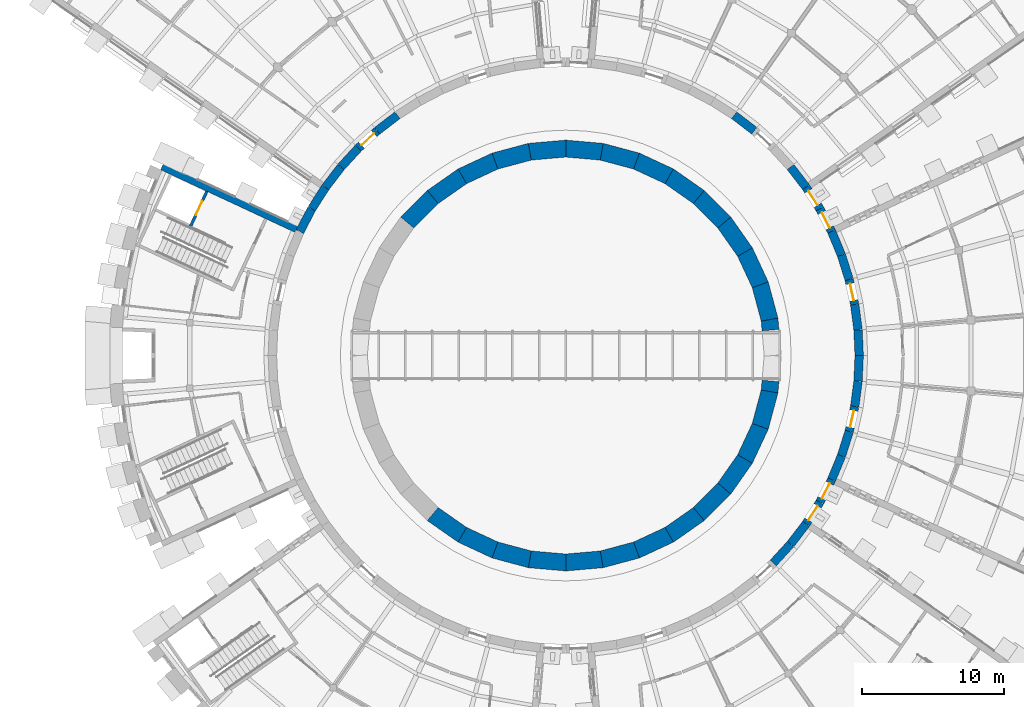
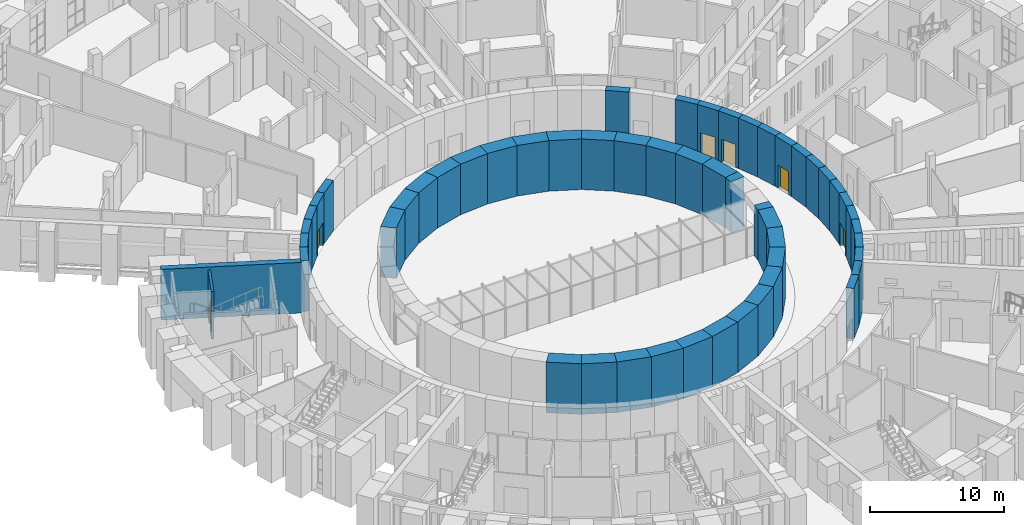
# One storey, part 51 of 85: 53 walls, 8 doors, 8 openings.
"""IFC4 building model written with IfcOpenShell, lengths in metres."""

from ifc_helpers import new_model, si_unit, direction, frame, frame_2d, origin, place, context, subcontext, project, spatial, polyline, rectangle, outline, extrude, material, layer, layer_set, type_object, element, fill, save


model = new_model("IFC4")

# Units and contexts
model_context = context("Model", 3, precision=1e-05, world=origin(), true_north=direction((0.0, 1.0)))
body_context = subcontext(model_context, "Body", "Model", "MODEL_VIEW")
ifc_project = project(units=[si_unit("LENGTHUNIT", "METRE"), si_unit("AREAUNIT", "SQUARE_METRE"), si_unit("VOLUMEUNIT", "CUBIC_METRE"), si_unit("PLANEANGLEUNIT", "RADIAN"), si_unit("MASSUNIT", "GRAM", prefix="KILO")], contexts=[model_context])

# Site, building, storey
site_placement = place(None, origin())
site = spatial("IfcSite", under=ifc_project, at=site_placement, CompositionType="ELEMENT")
building_placement = place(site_placement, origin())
building = spatial("IfcBuilding", under=site, at=building_placement, Name="Volute Hill Aquarium", CompositionType="ELEMENT")
storey_placement = place(building_placement, origin())
storey = spatial("IfcBuildingStorey", under=building, at=storey_placement, Name="L01", CompositionType="ELEMENT", Elevation=0.0)

# Walls
ifc_material_1 = material(Name="Concrete C35/45", Category="concrete")
ifc_layer_1 = layer(ifc_material_1, 0.60009765625)
ifc_layer_set_1 = layer_set([ifc_layer_1], Name="Drum wall C35/45 600")
wall_type_1 = type_object("IfcWallType", Name="Drum wall C35/45 600", PredefinedType="SHEAR", material=ifc_layer_set_1)
wall_1_placement = place(storey_placement, frame((20.699951171875, 0.0, 0.0), z_axis=(0.0, 0.0, 1.0), x_axis=(-0.043666024022, 0.999046184291, 0.0)))
element("IfcWall", 1, at=wall_1_placement, inside=storey, type_object=wall_type_1, Name="sw/DR/L01/0", PredefinedType="SHEAR", context=body_context, shape_type="SweptSolid", body=[
    extrude(rectangle(XDim=1.805908203125, YDim=0.60009765625, at=frame_2d((0.90283203125, 0.0))), origin(), (0.0, 0.0, 1.0), 4.60009765625),
])
wall_2_placement = place(storey_placement, frame((20.62109375, 1.80419921875, 0.0), z_axis=(0.0, 0.0, 1.0), x_axis=(-0.130471999813, 0.991451994433, 0.0)))
element("IfcWall", 2, at=wall_2_placement, inside=storey, type_object=wall_type_1, Name="sw/DR/L01/1", PredefinedType="SHEAR", context=body_context, shape_type="SweptSolid", body=[
    extrude(rectangle(XDim=1.8056640625, YDim=0.60009765625, at=frame_2d((0.90283203125, 0.0))), origin(), (0.0, 0.0, 1.0), 4.60009765625),
])

# Wall, opening, door
wall_3_placement = place(storey_placement, frame((20.385498046875, 3.594482421875, 0.0), z_axis=(0.0, 0.0, 1.0), x_axis=(-0.216429453554, 0.976298259567, 0.0)))
wall_3 = element("IfcWall", 3, at=wall_3_placement, inside=storey, type_object=wall_type_1, Name="sw/DR/L01/2", PredefinedType="SHEAR", context=body_context, shape_type="SweptSolid", body=[
    extrude(rectangle(XDim=1.805908203125, YDim=0.60009765625, at=frame_2d((0.90283203125, 0.0))), origin(), (0.0, 0.0, 1.0), 4.60009765625),
])
opening_1_placement = place(wall_3_placement, frame((0.302978515625, 0.0, 0.0)))
opening_1 = element("IfcOpeningElement", 4, at=opening_1_placement, cuts=wall_3, Name="Opening D4.01.R2", PredefinedType="OPENING", context=body_context, shape_type="SweptSolid", body=[
    extrude(rectangle(XDim=1.199951171875, YDim=2.10009765625, at=frame_2d((0.60009765625, 1.050048828125))), frame((0.0, 0.31005859375, 0.0), z_axis=(0.0, -1.0, 0.0), x_axis=(1.0, 0.0, 0.0)), (0.0, 0.0, 1.0), 0.6201171875),
])
ifc_material_2 = material(Name="Timber", Category="wood")
door_type_1 = type_object("IfcDoorType", Name="Door 1200 x 2100 drum double", OperationType="DOUBLE_DOOR_SINGLE_SWING", PredefinedType="DOOR", material=ifc_material_2)
door_1_placement = place(opening_1_placement, origin())
door_1 = element("IfcDoor", 5, at=door_1_placement, inside=storey, type_object=door_type_1, Name="d/S4/L01/dr2", OperationType="SINGLE_SWING_LEFT", OverallHeight=2.10009765625, OverallWidth=1.199951171875, PredefinedType="DOOR", context=body_context, shape_type="SweptSolid", body=[
    extrude(rectangle(XDim=1.199951171875, YDim=2.10009765625, at=frame_2d((0.60009765625, 1.050048828125))), frame((0.0, 0.02490234375, 0.0), z_axis=(0.0, -1.0, 0.0), x_axis=(1.0, 0.0, 0.0)), (0.0, 0.0, 1.0), 0.050048828125),
])
fill(opening_1, door_1)

# Walls
wall_4_placement = place(storey_placement, frame((19.99462890625, 5.357666015625, 0.0), z_axis=(0.0, 0.0, 1.0), x_axis=(-0.300691330354, 0.953721512733, 0.0)))
element("IfcWall", 6, at=wall_4_placement, inside=storey, type_object=wall_type_1, Name="sw/DR/L01/3", PredefinedType="SHEAR", context=body_context, shape_type="SweptSolid", body=[
    extrude(rectangle(XDim=1.8056640625, YDim=0.60009765625, at=frame_2d((0.90283203125, 0.0))), origin(), (0.0, 0.0, 1.0), 4.60009765625),
])
wall_5_placement = place(storey_placement, frame((19.45166015625, 7.079833984375, 0.0), z_axis=(0.0, 0.0, 1.0), x_axis=(-0.382713954298, 0.923866889322, 0.0)))
element("IfcWall", 7, at=wall_5_placement, inside=storey, type_object=wall_type_1, Name="sw/DR/L01/4", PredefinedType="SHEAR", context=body_context, shape_type="SweptSolid", body=[
    extrude(rectangle(XDim=1.805908203125, YDim=0.60009765625, at=frame_2d((0.90283203125, 0.0))), origin(), (0.0, 0.0, 1.0), 4.60009765625),
])

# Wall, opening, door
wall_6_placement = place(storey_placement, frame((18.760498046875, 8.748291015625, 0.0), z_axis=(0.0, 0.0, 1.0), x_axis=(-0.461701764231, 0.887035219654, 0.0)))
wall_6 = element("IfcWall", 8, at=wall_6_placement, inside=storey, type_object=wall_type_1, Name="sw/DR/L01/5", PredefinedType="SHEAR", context=body_context, shape_type="SweptSolid", body=[
    extrude(rectangle(XDim=1.805908203125, YDim=0.60009765625, at=frame_2d((0.90283203125, 0.0))), origin(), (0.0, 0.0, 1.0), 4.60009765625),
])
opening_2_placement = place(wall_6_placement, frame((0.302978515625, 0.0, 0.0)))
opening_2 = element("IfcOpeningElement", 9, at=opening_2_placement, cuts=wall_6, Name="Opening DX.SC5.1", PredefinedType="OPENING", context=body_context, shape_type="SweptSolid", body=[
    extrude(rectangle(XDim=1.199951171875, YDim=2.10009765625, at=frame_2d((0.60009765625, 1.050048828125))), frame((0.0, 0.31005859375, 0.0), z_axis=(0.0, -1.0, 0.0), x_axis=(1.0, 0.0, 0.0)), (0.0, 0.0, 1.0), 0.6201171875),
])
ifc_material_3 = material(Name="Timber, fire-rated", Category="wood")
door_type_2 = type_object("IfcDoorType", Name="Door 1200 x 2100 drum double EI1 30", OperationType="DOUBLE_DOOR_SINGLE_SWING", PredefinedType="DOOR", material=ifc_material_3)
door_2_placement = place(opening_2_placement, origin())
door_2 = element("IfcDoor", 10, at=door_2_placement, inside=storey, type_object=door_type_2, Name="d/SC5/L01/ex1", OperationType="SINGLE_SWING_LEFT", OverallHeight=2.10009765625, OverallWidth=1.199951171875, PredefinedType="DOOR", context=body_context, shape_type="SweptSolid", body=[
    extrude(rectangle(XDim=1.199951171875, YDim=2.10009765625, at=frame_2d((0.60009765625, 1.050048828125))), frame((0.0, 0.02490234375, 0.0), z_axis=(0.0, -1.0, 0.0), x_axis=(1.0, 0.0, 0.0)), (0.0, 0.0, 1.0), 0.050048828125),
])
fill(opening_2, door_2)

wall_7_placement = place(storey_placement, frame((17.9267578125, 10.35009765625, 0.0), z_axis=(0.0, 0.0, 1.0), x_axis=(-0.537391510251, 0.843332890803, 0.0)))
wall_7 = element("IfcWall", 11, at=wall_7_placement, inside=storey, type_object=wall_type_1, Name="sw/DR/L01/6", PredefinedType="SHEAR", context=body_context, shape_type="SweptSolid", body=[
    extrude(rectangle(XDim=1.805908203125, YDim=0.60009765625, at=frame_2d((0.90283203125, 0.0))), origin(), (0.0, 0.0, 1.0), 4.60009765625),
])
opening_3_placement = place(wall_7_placement, frame((0.302978515625, 0.0, 0.0)))
opening_3 = element("IfcOpeningElement", 12, at=opening_3_placement, cuts=wall_7, Name="Opening DX.SC5.2", PredefinedType="OPENING", context=body_context, shape_type="SweptSolid", body=[
    extrude(rectangle(XDim=1.199951171875, YDim=2.10009765625, at=frame_2d((0.60009765625, 1.050048828125))), frame((0.0, 0.31005859375, 0.0), z_axis=(0.0, -1.0, 0.0), x_axis=(1.0, 0.0, 0.0)), (0.0, 0.0, 1.0), 0.6201171875),
])
door_3_placement = place(opening_3_placement, origin())
door_3 = element("IfcDoor", 13, at=door_3_placement, inside=storey, type_object=door_type_2, Name="d/SC5/L01/ex2", OperationType="SINGLE_SWING_LEFT", OverallHeight=2.10009765625, OverallWidth=1.199951171875, PredefinedType="DOOR", context=body_context, shape_type="SweptSolid", body=[
    extrude(rectangle(XDim=1.199951171875, YDim=2.10009765625, at=frame_2d((0.60009765625, 1.050048828125))), frame((0.0, 0.02490234375, 0.0), z_axis=(0.0, -1.0, 0.0), x_axis=(1.0, 0.0, 0.0)), (0.0, 0.0, 1.0), 0.050048828125),
])
fill(opening_3, door_3)

# Walls
for number, where, z_axis, x_axis, name in (
    (14, (16.956298828125, 11.873046875, 0.0), (0.0, 0.0, 1.0), (-0.608704004289, 0.793397400526, 0.0), "sw/DR/L01/7"),
    (15, (13.3056640625, 15.857177734375, 0.0), (0.0, 0.0, 1.0), (-0.793397400526, 0.608704004289, 0.0), "sw/DR/L01/10"),
    (16, (-11.873046875, 16.956298828125, 0.0), (0.0, 0.0, 1.0), (-0.793397400526, -0.608704004289, 0.0), "sw/DR/L01/25"),
):
    element("IfcWall", number, at=place(storey_placement, frame(where, z_axis=z_axis, x_axis=x_axis)), inside=storey, type_object=wall_type_1, Name=name, PredefinedType="SHEAR", context=body_context, shape_type="SweptSolid", body=[
        extrude(rectangle(XDim=1.8056640625, YDim=0.60009765625, at=frame_2d((0.90283203125, 0.0))), origin(), (0.0, 0.0, 1.0), 4.60009765625),
    ])

# Wall, opening, door
wall_8_placement = place(storey_placement, frame((-13.3056640625, 15.857177734375, 0.0), z_axis=(0.0, 0.0, 1.0), x_axis=(-0.737322466268, -0.675540954152, 0.0)))
wall_8 = element("IfcWall", 17, at=wall_8_placement, inside=storey, type_object=wall_type_1, Name="sw/DR/L01/26", PredefinedType="SHEAR", context=body_context, shape_type="SweptSolid", body=[
    extrude(rectangle(XDim=1.805908203125, YDim=0.60009765625, at=frame_2d((0.90283203125, 0.0))), origin(), (0.0, 0.0, 1.0), 4.60009765625),
])
opening_4_placement = place(wall_8_placement, frame((0.302978515625, 0.0, 0.0)))
opening_4 = element("IfcOpeningElement", 18, at=opening_4_placement, cuts=wall_8, Name="Opening D6.01.R2", PredefinedType="OPENING", context=body_context, shape_type="SweptSolid", body=[
    extrude(rectangle(XDim=1.199951171875, YDim=2.10009765625, at=frame_2d((0.60009765625, 1.050048828125))), frame((0.0, 0.31005859375, 0.0), z_axis=(0.0, -1.0, 0.0), x_axis=(1.0, 0.0, 0.0)), (0.0, 0.0, 1.0), 0.6201171875),
])
door_4_placement = place(opening_4_placement, origin())
door_4 = element("IfcDoor", 19, at=door_4_placement, inside=storey, type_object=door_type_1, Name="d/S6/L01/dr2", OperationType="SINGLE_SWING_LEFT", OverallHeight=2.10009765625, OverallWidth=1.199951171875, PredefinedType="DOOR", context=body_context, shape_type="SweptSolid", body=[
    extrude(rectangle(XDim=1.199951171875, YDim=2.10009765625, at=frame_2d((0.60009765625, 1.050048828125))), frame((0.0, 0.02490234375, 0.0), z_axis=(0.0, -1.0, 0.0), x_axis=(1.0, 0.0, 0.0)), (0.0, 0.0, 1.0), 0.050048828125),
])
fill(opening_4, door_4)

# Walls
wall_9_placement = place(storey_placement, frame((-14.63720703125, 14.63720703125, 0.0), z_axis=(0.0, 0.0, 1.0), x_axis=(-0.675540954152, -0.737322466268, 0.0)))
element("IfcWall", 20, at=wall_9_placement, inside=storey, type_object=wall_type_1, Name="sw/DR/L01/27", PredefinedType="SHEAR", context=body_context, shape_type="SweptSolid", body=[
    extrude(rectangle(XDim=1.805908203125, YDim=0.60009765625, at=frame_2d((0.90283203125, 0.0))), origin(), (0.0, 0.0, 1.0), 4.60009765625),
])
wall_10_placement = place(storey_placement, frame((-15.857177734375, 13.3056640625, 0.0), z_axis=(0.0, 0.0, 1.0), x_axis=(-0.608704004289, -0.793397400526, 0.0)))
element("IfcWall", 21, at=wall_10_placement, inside=storey, type_object=wall_type_1, Name="sw/DR/L01/28", PredefinedType="SHEAR", context=body_context, shape_type="SweptSolid", body=[
    extrude(rectangle(XDim=1.8056640625, YDim=0.60009765625, at=frame_2d((0.90283203125, 0.0))), origin(), (0.0, 0.0, 1.0), 4.60009765625),
])
for number, where, z_axis, x_axis, name in (
    (22, (-16.956298828125, 11.873046875, 0.0), (0.0, 0.0, 1.0), (-0.537391510251, -0.843332890803, 0.0), "sw/DR/L01/29"),
    (23, (-17.9267578125, 10.35009765625, 0.0), (0.0, 0.0, 1.0), (-0.461701764231, -0.887035219654, 0.0), "sw/DR/L01/30"),
    (24, (14.63720703125, -14.63720703125, 0.0), (0.0, 0.0, 1.0), (0.675540954152, 0.737322466268, 0.0), "sw/DR/L01/63"),
):
    element("IfcWall", number, at=place(storey_placement, frame(where, z_axis=z_axis, x_axis=x_axis)), inside=storey, type_object=wall_type_1, Name=name, PredefinedType="SHEAR", context=body_context, shape_type="SweptSolid", body=[
        extrude(rectangle(XDim=1.805908203125, YDim=0.60009765625, at=frame_2d((0.90283203125, 0.0))), origin(), (0.0, 0.0, 1.0), 4.60009765625),
    ])
wall_11_placement = place(storey_placement, frame((15.857177734375, -13.3056640625, 0.0), z_axis=(0.0, 0.0, 1.0), x_axis=(0.608704004289, 0.793397400526, 0.0)))
element("IfcWall", 25, at=wall_11_placement, inside=storey, type_object=wall_type_1, Name="sw/DR/L01/64", PredefinedType="SHEAR", context=body_context, shape_type="SweptSolid", body=[
    extrude(rectangle(XDim=1.8056640625, YDim=0.60009765625, at=frame_2d((0.90283203125, 0.0))), origin(), (0.0, 0.0, 1.0), 4.60009765625),
])

# Wall, opening, door
wall_12_placement = place(storey_placement, frame((16.956298828125, -11.873046875, 0.0), z_axis=(0.0, 0.0, 1.0), x_axis=(0.537391510251, 0.843332890803, 0.0)))
wall_12 = element("IfcWall", 26, at=wall_12_placement, inside=storey, type_object=wall_type_1, Name="sw/DR/L01/65", PredefinedType="SHEAR", context=body_context, shape_type="SweptSolid", body=[
    extrude(rectangle(XDim=1.805908203125, YDim=0.60009765625, at=frame_2d((0.90283203125, 0.0))), origin(), (0.0, 0.0, 1.0), 4.60009765625),
])
opening_5_placement = place(wall_12_placement, frame((0.302978515625, 0.0, 0.0)))
opening_5 = element("IfcOpeningElement", 27, at=opening_5_placement, cuts=wall_12, Name="Opening DX.SC4.1", PredefinedType="OPENING", context=body_context, shape_type="SweptSolid", body=[
    extrude(rectangle(XDim=1.199951171875, YDim=2.10009765625, at=frame_2d((0.60009765625, 1.050048828125))), frame((0.0, 0.31005859375, 0.0), z_axis=(0.0, -1.0, 0.0), x_axis=(1.0, 0.0, 0.0)), (0.0, 0.0, 1.0), 0.6201171875),
])
door_5_placement = place(opening_5_placement, origin())
door_5 = element("IfcDoor", 28, at=door_5_placement, inside=storey, type_object=door_type_2, Name="d/SC4/L01/ex1", OperationType="SINGLE_SWING_LEFT", OverallHeight=2.10009765625, OverallWidth=1.199951171875, PredefinedType="DOOR", context=body_context, shape_type="SweptSolid", body=[
    extrude(rectangle(XDim=1.199951171875, YDim=2.10009765625, at=frame_2d((0.60009765625, 1.050048828125))), frame((0.0, 0.02490234375, 0.0), z_axis=(0.0, -1.0, 0.0), x_axis=(1.0, 0.0, 0.0)), (0.0, 0.0, 1.0), 0.050048828125),
])
fill(opening_5, door_5)

wall_13_placement = place(storey_placement, frame((17.9267578125, -10.35009765625, 0.0), z_axis=(0.0, 0.0, 1.0), x_axis=(0.461701764231, 0.887035219654, 0.0)))
wall_13 = element("IfcWall", 29, at=wall_13_placement, inside=storey, type_object=wall_type_1, Name="sw/DR/L01/66", PredefinedType="SHEAR", context=body_context, shape_type="SweptSolid", body=[
    extrude(rectangle(XDim=1.805908203125, YDim=0.60009765625, at=frame_2d((0.90283203125, 0.0))), origin(), (0.0, 0.0, 1.0), 4.60009765625),
])
opening_6_placement = place(wall_13_placement, frame((0.302978515625, 0.0, 0.0)))
opening_6 = element("IfcOpeningElement", 30, at=opening_6_placement, cuts=wall_13, Name="Opening DX.SC4.2", PredefinedType="OPENING", context=body_context, shape_type="SweptSolid", body=[
    extrude(rectangle(XDim=1.199951171875, YDim=2.10009765625, at=frame_2d((0.60009765625, 1.050048828125))), frame((0.0, 0.31005859375, 0.0), z_axis=(0.0, -1.0, 0.0), x_axis=(1.0, 0.0, 0.0)), (0.0, 0.0, 1.0), 0.6201171875),
])
door_6_placement = place(opening_6_placement, origin())
door_6 = element("IfcDoor", 31, at=door_6_placement, inside=storey, type_object=door_type_2, Name="d/SC4/L01/ex2", OperationType="SINGLE_SWING_LEFT", OverallHeight=2.10009765625, OverallWidth=1.199951171875, PredefinedType="DOOR", context=body_context, shape_type="SweptSolid", body=[
    extrude(rectangle(XDim=1.199951171875, YDim=2.10009765625, at=frame_2d((0.60009765625, 1.050048828125))), frame((0.0, 0.02490234375, 0.0), z_axis=(0.0, -1.0, 0.0), x_axis=(1.0, 0.0, 0.0)), (0.0, 0.0, 1.0), 0.050048828125),
])
fill(opening_6, door_6)

# Walls
wall_14_placement = place(storey_placement, frame((18.760498046875, -8.748291015625, 0.0), z_axis=(0.0, 0.0, 1.0), x_axis=(0.382713954298, 0.923866889322, 0.0)))
element("IfcWall", 32, at=wall_14_placement, inside=storey, type_object=wall_type_1, Name="sw/DR/L01/67", PredefinedType="SHEAR", context=body_context, shape_type="SweptSolid", body=[
    extrude(rectangle(XDim=1.805908203125, YDim=0.60009765625, at=frame_2d((0.90283203125, 0.0))), origin(), (0.0, 0.0, 1.0), 4.60009765625),
])
wall_15_placement = place(storey_placement, frame((19.45166015625, -7.079833984375, 0.0), z_axis=(0.0, 0.0, 1.0), x_axis=(0.300691330354, 0.953721512733, 0.0)))
element("IfcWall", 33, at=wall_15_placement, inside=storey, type_object=wall_type_1, Name="sw/DR/L01/68", PredefinedType="SHEAR", context=body_context, shape_type="SweptSolid", body=[
    extrude(rectangle(XDim=1.8056640625, YDim=0.60009765625, at=frame_2d((0.90283203125, 0.0))), origin(), (0.0, 0.0, 1.0), 4.60009765625),
])

# Wall, opening, door
wall_16_placement = place(storey_placement, frame((19.99462890625, -5.357666015625, 0.0), z_axis=(0.0, 0.0, 1.0), x_axis=(0.216429453554, 0.976298259567, 0.0)))
wall_16 = element("IfcWall", 34, at=wall_16_placement, inside=storey, type_object=wall_type_1, Name="sw/DR/L01/69", PredefinedType="SHEAR", context=body_context, shape_type="SweptSolid", body=[
    extrude(rectangle(XDim=1.805908203125, YDim=0.60009765625, at=frame_2d((0.90283203125, 0.0))), origin(), (0.0, 0.0, 1.0), 4.60009765625),
])
opening_7_placement = place(wall_16_placement, frame((0.302978515625, 0.0, 0.0)))
opening_7 = element("IfcOpeningElement", 35, at=opening_7_placement, cuts=wall_16, Name="Opening D4.01.R1", PredefinedType="OPENING", context=body_context, shape_type="SweptSolid", body=[
    extrude(rectangle(XDim=1.199951171875, YDim=2.10009765625, at=frame_2d((0.60009765625, 1.050048828125))), frame((0.0, 0.31005859375, 0.0), z_axis=(0.0, -1.0, 0.0), x_axis=(1.0, 0.0, 0.0)), (0.0, 0.0, 1.0), 0.6201171875),
])
door_7_placement = place(opening_7_placement, origin())
door_7 = element("IfcDoor", 36, at=door_7_placement, inside=storey, type_object=door_type_1, Name="d/S4/L01/dr1", OperationType="SINGLE_SWING_LEFT", OverallHeight=2.10009765625, OverallWidth=1.199951171875, PredefinedType="DOOR", context=body_context, shape_type="SweptSolid", body=[
    extrude(rectangle(XDim=1.199951171875, YDim=2.10009765625, at=frame_2d((0.60009765625, 1.050048828125))), frame((0.0, 0.02490234375, 0.0), z_axis=(0.0, -1.0, 0.0), x_axis=(1.0, 0.0, 0.0)), (0.0, 0.0, 1.0), 0.050048828125),
])
fill(opening_7, door_7)

# Walls
wall_17_placement = place(storey_placement, frame((20.385498046875, -3.594482421875, 0.0), z_axis=(0.0, 0.0, 1.0), x_axis=(0.130471999813, 0.991451994433, 0.0)))
element("IfcWall", 37, at=wall_17_placement, inside=storey, type_object=wall_type_1, Name="sw/DR/L01/70", PredefinedType="SHEAR", context=body_context, shape_type="SweptSolid", body=[
    extrude(rectangle(XDim=1.8056640625, YDim=0.60009765625, at=frame_2d((0.90283203125, 0.0))), origin(), (0.0, 0.0, 1.0), 4.60009765625),
])
wall_18_placement = place(storey_placement, frame((20.62109375, -1.80419921875, 0.0), z_axis=(0.0, 0.0, 1.0), x_axis=(0.043666024022, 0.999046184291, 0.0)))
element("IfcWall", 38, at=wall_18_placement, inside=storey, type_object=wall_type_1, Name="sw/DR/L01/71", PredefinedType="SHEAR", context=body_context, shape_type="SweptSolid", body=[
    extrude(rectangle(XDim=1.805908203125, YDim=0.60009765625, at=frame_2d((0.90283203125, 0.0))), origin(), (0.0, 0.0, 1.0), 4.60009765625),
])
ifc_material_4 = material(Name="Concrete C35/45", Category="concrete")
ifc_layer_2 = layer(ifc_material_4, 0.5)
ifc_layer_set_2 = layer_set([ifc_layer_2], Name="End wall 500 C35/45")
wall_type_2 = type_object("IfcWallType", Name="End wall 500 C35/45", PredefinedType="SHEAR", material=ifc_layer_set_2)
wall_19_placement = place(storey_placement, frame((-18.920654296875, 8.8779296875, 0.0), z_axis=(0.0, 0.0, 1.0), x_axis=(-0.90630311696, 0.422628276607, 0.0)))
element("IfcWall", 39, at=wall_19_placement, inside=storey, type_object=wall_type_2, Name="sw/S1/L01/endA", PredefinedType="SHEAR", context=body_context, shape_type="SweptSolid", body=[
    extrude(rectangle(XDim=10.550048828125, YDim=0.5, at=frame_2d((5.27490234375, 0.0))), origin(), (0.0, 0.0, 1.0), 4.60009765625),
])

# Wall, opening, door
ifc_material_5 = material(Name="Concrete C30/37", Category="concrete")
ifc_layer_3 = layer(ifc_material_5, 0.199951171875)
ifc_layer_set_3 = layer_set([ifc_layer_3], Name="Shaft wall 200 EI 60")
wall_type_3 = type_object("IfcWallType", Name="Shaft wall 200 EI 60", PredefinedType="SOLIDWALL", material=ifc_layer_set_3)
wall_20_placement = place(storey_placement, frame((-25.3251953125, 11.588623046875, 0.0), z_axis=(0.0, 0.0, 1.0), x_axis=(-0.422632457081, -0.906301167505, 0.0)))
wall_20 = element("IfcWall", 40, at=wall_20_placement, inside=storey, type_object=wall_type_3, Name="wc/S1-A/L01/front", PredefinedType="SOLIDWALL", context=body_context, shape_type="SweptSolid", body=[
    extrude(rectangle(XDim=2.800048828125, YDim=0.199951171875, at=frame_2d((1.39990234375, 0.0))), origin(), (0.0, 0.0, 1.0), 4.35009765625),
])
opening_8_placement = place(wall_20_placement, frame((0.75, 0.0, 0.0)))
opening_8 = element("IfcOpeningElement", 41, at=opening_8_placement, cuts=wall_20, Name="Opening LD1.01.A", PredefinedType="OPENING", context=body_context, shape_type="SweptSolid", body=[
    extrude(rectangle(XDim=1.10009765625, YDim=2.10009765625, at=frame_2d((0.550048828125, 1.050048828125))), frame((0.0, 0.10986328125, 0.0), z_axis=(0.0, -1.0, 0.0), x_axis=(1.0, 0.0, 0.0)), (0.0, 0.0, 1.0), 0.219970703125),
])
ifc_material_6 = material(Name="Stainless steel", Category="steel")
door_type_3 = type_object("IfcDoorType", Name="Lift landing door 1100 x 2100", OperationType="SLIDING_TO_LEFT", PredefinedType="DOOR", material=ifc_material_6)
door_8_placement = place(opening_8_placement, origin())
door_8 = element("IfcDoor", 42, at=door_8_placement, inside=storey, type_object=door_type_3, Name="d/S1-A/L01/ld", OperationType="SLIDING_TO_LEFT", OverallHeight=2.10009765625, OverallWidth=1.10009765625, PredefinedType="DOOR", context=body_context, shape_type="SweptSolid", body=[
    extrude(rectangle(XDim=1.10009765625, YDim=2.10009765625, at=frame_2d((0.550048828125, 1.050048828125))), frame((0.0, 0.02490234375, 0.0), z_axis=(0.0, -1.0, 0.0), x_axis=(1.0, 0.0, 0.0)), (0.0, 0.0, 1.0), 0.050048828125),
])
fill(opening_8, door_8)

# Walls
ifc_material_7 = material(Name="Concrete C40/50", Category="concrete")
ifc_layer_4 = layer(ifc_material_7, 1.199951171875)
ifc_layer_set_4 = layer_set([ifc_layer_4], Name="Tank wall C40/50 1200")
wall_type_4 = type_object("IfcWallType", Name="Tank wall C40/50 1200", PredefinedType="SHEAR", material=ifc_layer_set_4)
wall_21_placement = place(storey_placement, origin())
element("IfcWall", 43, at=wall_21_placement, inside=storey, type_object=wall_type_4, Name="sw/TK/L01/0", PredefinedType="SHEAR", context=body_context, shape_type="SweptSolid", body=[
    extrude(outline(polyline([(13.787353515625, 2.43115234375), (13.84765625, 1.740966796875), (15.03857421875, 1.84521484375), (14.968994140625, 2.639404296875), (13.787353515625, 2.43115234375)])), origin(), (0.0, 0.0, 1.0), 4.60009765625),
])
wall_22_placement = place(storey_placement, origin())
element("IfcWall", 44, at=wall_22_placement, inside=storey, type_object=wall_type_4, Name="sw/TK/L01/1", PredefinedType="SHEAR", context=body_context, shape_type="SweptSolid", body=[
    extrude(outline(polyline([(13.787353515625, 2.43115234375), (14.968994140625, 2.639404296875), (14.283203125, 5.19873046875), (13.15576171875, 4.788330078125), (13.787353515625, 2.43115234375)])), origin(), (0.0, 0.0, 1.0), 4.60009765625),
])
wall_23_placement = place(storey_placement, origin())
element("IfcWall", 45, at=wall_23_placement, inside=storey, type_object=wall_type_4, Name="sw/TK/L01/2", PredefinedType="SHEAR", context=body_context, shape_type="SweptSolid", body=[
    extrude(outline(polyline([(13.15576171875, 4.788330078125), (14.283203125, 5.19873046875), (13.16357421875, 7.60009765625), (12.12451171875, 7.0), (13.15576171875, 4.788330078125)])), origin(), (0.0, 0.0, 1.0), 4.60009765625),
])
wall_24_placement = place(storey_placement, origin())
element("IfcWall", 46, at=wall_24_placement, inside=storey, type_object=wall_type_4, Name="sw/TK/L01/3", PredefinedType="SHEAR", context=body_context, shape_type="SweptSolid", body=[
    extrude(outline(polyline([(12.12451171875, 7.0), (13.16357421875, 7.60009765625), (11.643798828125, 9.7705078125), (10.724609375, 8.9990234375), (12.12451171875, 7.0)])), origin(), (0.0, 0.0, 1.0), 4.60009765625),
])
wall_25_placement = place(storey_placement, origin())
element("IfcWall", 47, at=wall_25_placement, inside=storey, type_object=wall_type_4, Name="sw/TK/L01/4", PredefinedType="SHEAR", context=body_context, shape_type="SweptSolid", body=[
    extrude(outline(polyline([(10.724609375, 8.9990234375), (11.643798828125, 9.7705078125), (9.7705078125, 11.643798828125), (8.9990234375, 10.724609375), (10.724609375, 8.9990234375)])), origin(), (0.0, 0.0, 1.0), 4.60009765625),
])
wall_26_placement = place(storey_placement, origin())
element("IfcWall", 48, at=wall_26_placement, inside=storey, type_object=wall_type_4, Name="sw/TK/L01/5", PredefinedType="SHEAR", context=body_context, shape_type="SweptSolid", body=[
    extrude(outline(polyline([(8.9990234375, 10.724609375), (9.7705078125, 11.643798828125), (7.60009765625, 13.16357421875), (7.0, 12.12451171875), (8.9990234375, 10.724609375)])), origin(), (0.0, 0.0, 1.0), 4.60009765625),
])
wall_27_placement = place(storey_placement, origin())
element("IfcWall", 49, at=wall_27_placement, inside=storey, type_object=wall_type_4, Name="sw/TK/L01/6", PredefinedType="SHEAR", context=body_context, shape_type="SweptSolid", body=[
    extrude(outline(polyline([(7.0, 12.12451171875), (7.60009765625, 13.16357421875), (5.19873046875, 14.283203125), (4.788330078125, 13.15576171875), (7.0, 12.12451171875)])), origin(), (0.0, 0.0, 1.0), 4.60009765625),
])
wall_28_placement = place(storey_placement, origin())
element("IfcWall", 50, at=wall_28_placement, inside=storey, type_object=wall_type_4, Name="sw/TK/L01/7", PredefinedType="SHEAR", context=body_context, shape_type="SweptSolid", body=[
    extrude(outline(polyline([(4.788330078125, 13.15576171875), (5.19873046875, 14.283203125), (2.639404296875, 14.968994140625), (2.43115234375, 13.787353515625), (4.788330078125, 13.15576171875)])), origin(), (0.0, 0.0, 1.0), 4.60009765625),
])
wall_29_placement = place(storey_placement, origin())
element("IfcWall", 51, at=wall_29_placement, inside=storey, type_object=wall_type_4, Name="sw/TK/L01/8", PredefinedType="SHEAR", context=body_context, shape_type="SweptSolid", body=[
    extrude(outline(polyline([(2.43115234375, 13.787353515625), (2.639404296875, 14.968994140625), (0.0, 15.199951171875), (0.0, 14.0), (2.43115234375, 13.787353515625)])), origin(), (0.0, 0.0, 1.0), 4.60009765625),
])
wall_30_placement = place(storey_placement, origin())
element("IfcWall", 52, at=wall_30_placement, inside=storey, type_object=wall_type_4, Name="sw/TK/L01/9", PredefinedType="SHEAR", context=body_context, shape_type="SweptSolid", body=[
    extrude(outline(polyline([(0.0, 14.0), (0.0, 15.199951171875), (-2.639404296875, 14.968994140625), (-2.43115234375, 13.787353515625), (0.0, 14.0)])), origin(), (0.0, 0.0, 1.0), 4.60009765625),
])
wall_31_placement = place(storey_placement, origin())
element("IfcWall", 53, at=wall_31_placement, inside=storey, type_object=wall_type_4, Name="sw/TK/L01/10", PredefinedType="SHEAR", context=body_context, shape_type="SweptSolid", body=[
    extrude(outline(polyline([(-2.43115234375, 13.787353515625), (-2.639404296875, 14.968994140625), (-5.19873046875, 14.283203125), (-4.788330078125, 13.15576171875), (-2.43115234375, 13.787353515625)])), origin(), (0.0, 0.0, 1.0), 4.60009765625),
])
wall_32_placement = place(storey_placement, origin())
element("IfcWall", 54, at=wall_32_placement, inside=storey, type_object=wall_type_4, Name="sw/TK/L01/11", PredefinedType="SHEAR", context=body_context, shape_type="SweptSolid", body=[
    extrude(outline(polyline([(-4.788330078125, 13.15576171875), (-5.19873046875, 14.283203125), (-7.60009765625, 13.16357421875), (-7.0, 12.12451171875), (-4.788330078125, 13.15576171875)])), origin(), (0.0, 0.0, 1.0), 4.60009765625),
])
wall_33_placement = place(storey_placement, origin())
element("IfcWall", 55, at=wall_33_placement, inside=storey, type_object=wall_type_4, Name="sw/TK/L01/12", PredefinedType="SHEAR", context=body_context, shape_type="SweptSolid", body=[
    extrude(outline(polyline([(-7.0, 12.12451171875), (-7.60009765625, 13.16357421875), (-9.7705078125, 11.643798828125), (-8.9990234375, 10.724609375), (-7.0, 12.12451171875)])), origin(), (0.0, 0.0, 1.0), 4.60009765625),
])
wall_34_placement = place(storey_placement, origin())
element("IfcWall", 56, at=wall_34_placement, inside=storey, type_object=wall_type_4, Name="sw/TK/L01/13", PredefinedType="SHEAR", context=body_context, shape_type="SweptSolid", body=[
    extrude(outline(polyline([(-8.9990234375, 10.724609375), (-9.7705078125, 11.643798828125), (-11.643798828125, 9.7705078125), (-10.724609375, 8.9990234375), (-8.9990234375, 10.724609375)])), origin(), (0.0, 0.0, 1.0), 4.60009765625),
])
wall_35_placement = place(storey_placement, origin())
element("IfcWall", 57, at=wall_35_placement, inside=storey, type_object=wall_type_4, Name="sw/TK/L01/23", PredefinedType="SHEAR", context=body_context, shape_type="SweptSolid", body=[
    extrude(outline(polyline([(-8.9990234375, -10.724609375), (-9.7705078125, -11.643798828125), (-7.60009765625, -13.16357421875), (-7.0, -12.12451171875), (-8.9990234375, -10.724609375)])), origin(), (0.0, 0.0, 1.0), 4.60009765625),
])
wall_36_placement = place(storey_placement, origin())
element("IfcWall", 58, at=wall_36_placement, inside=storey, type_object=wall_type_4, Name="sw/TK/L01/24", PredefinedType="SHEAR", context=body_context, shape_type="SweptSolid", body=[
    extrude(outline(polyline([(-7.0, -12.12451171875), (-7.60009765625, -13.16357421875), (-5.19873046875, -14.283203125), (-4.788330078125, -13.15576171875), (-7.0, -12.12451171875)])), origin(), (0.0, 0.0, 1.0), 4.60009765625),
])
wall_37_placement = place(storey_placement, origin())
element("IfcWall", 59, at=wall_37_placement, inside=storey, type_object=wall_type_4, Name="sw/TK/L01/25", PredefinedType="SHEAR", context=body_context, shape_type="SweptSolid", body=[
    extrude(outline(polyline([(-4.788330078125, -13.15576171875), (-5.19873046875, -14.283203125), (-2.639404296875, -14.968994140625), (-2.43115234375, -13.787353515625), (-4.788330078125, -13.15576171875)])), origin(), (0.0, 0.0, 1.0), 4.60009765625),
])
wall_38_placement = place(storey_placement, origin())
element("IfcWall", 60, at=wall_38_placement, inside=storey, type_object=wall_type_4, Name="sw/TK/L01/26", PredefinedType="SHEAR", context=body_context, shape_type="SweptSolid", body=[
    extrude(outline(polyline([(-2.43115234375, -13.787353515625), (-2.639404296875, -14.968994140625), (0.0, -15.199951171875), (0.0, -14.0), (-2.43115234375, -13.787353515625)])), origin(), (0.0, 0.0, 1.0), 4.60009765625),
])
wall_39_placement = place(storey_placement, origin())
element("IfcWall", 61, at=wall_39_placement, inside=storey, type_object=wall_type_4, Name="sw/TK/L01/27", PredefinedType="SHEAR", context=body_context, shape_type="SweptSolid", body=[
    extrude(outline(polyline([(0.0, -14.0), (0.0, -15.199951171875), (2.639404296875, -14.968994140625), (2.43115234375, -13.787353515625), (0.0, -14.0)])), origin(), (0.0, 0.0, 1.0), 4.60009765625),
])
wall_40_placement = place(storey_placement, origin())
element("IfcWall", 62, at=wall_40_placement, inside=storey, type_object=wall_type_4, Name="sw/TK/L01/28", PredefinedType="SHEAR", context=body_context, shape_type="SweptSolid", body=[
    extrude(outline(polyline([(2.43115234375, -13.787353515625), (2.639404296875, -14.968994140625), (5.19873046875, -14.283203125), (4.788330078125, -13.15576171875), (2.43115234375, -13.787353515625)])), origin(), (0.0, 0.0, 1.0), 4.60009765625),
])
wall_41_placement = place(storey_placement, origin())
element("IfcWall", 63, at=wall_41_placement, inside=storey, type_object=wall_type_4, Name="sw/TK/L01/29", PredefinedType="SHEAR", context=body_context, shape_type="SweptSolid", body=[
    extrude(outline(polyline([(4.788330078125, -13.15576171875), (5.19873046875, -14.283203125), (7.60009765625, -13.16357421875), (7.0, -12.12451171875), (4.788330078125, -13.15576171875)])), origin(), (0.0, 0.0, 1.0), 4.60009765625),
])
wall_42_placement = place(storey_placement, origin())
element("IfcWall", 64, at=wall_42_placement, inside=storey, type_object=wall_type_4, Name="sw/TK/L01/30", PredefinedType="SHEAR", context=body_context, shape_type="SweptSolid", body=[
    extrude(outline(polyline([(7.0, -12.12451171875), (7.60009765625, -13.16357421875), (9.7705078125, -11.643798828125), (8.9990234375, -10.724609375), (7.0, -12.12451171875)])), origin(), (0.0, 0.0, 1.0), 4.60009765625),
])
wall_43_placement = place(storey_placement, origin())
element("IfcWall", 65, at=wall_43_placement, inside=storey, type_object=wall_type_4, Name="sw/TK/L01/31", PredefinedType="SHEAR", context=body_context, shape_type="SweptSolid", body=[
    extrude(outline(polyline([(8.9990234375, -10.724609375), (9.7705078125, -11.643798828125), (11.643798828125, -9.7705078125), (10.724609375, -8.9990234375), (8.9990234375, -10.724609375)])), origin(), (0.0, 0.0, 1.0), 4.60009765625),
])
wall_44_placement = place(storey_placement, origin())
element("IfcWall", 66, at=wall_44_placement, inside=storey, type_object=wall_type_4, Name="sw/TK/L01/32", PredefinedType="SHEAR", context=body_context, shape_type="SweptSolid", body=[
    extrude(outline(polyline([(10.724609375, -8.9990234375), (11.643798828125, -9.7705078125), (13.16357421875, -7.60009765625), (12.12451171875, -7.0), (10.724609375, -8.9990234375)])), origin(), (0.0, 0.0, 1.0), 4.60009765625),
])
wall_45_placement = place(storey_placement, origin())
element("IfcWall", 67, at=wall_45_placement, inside=storey, type_object=wall_type_4, Name="sw/TK/L01/33", PredefinedType="SHEAR", context=body_context, shape_type="SweptSolid", body=[
    extrude(outline(polyline([(12.12451171875, -7.0), (13.16357421875, -7.60009765625), (14.283203125, -5.19873046875), (13.15576171875, -4.788330078125), (12.12451171875, -7.0)])), origin(), (0.0, 0.0, 1.0), 4.60009765625),
])
wall_46_placement = place(storey_placement, origin())
element("IfcWall", 68, at=wall_46_placement, inside=storey, type_object=wall_type_4, Name="sw/TK/L01/34", PredefinedType="SHEAR", context=body_context, shape_type="SweptSolid", body=[
    extrude(outline(polyline([(13.15576171875, -4.788330078125), (14.283203125, -5.19873046875), (14.968994140625, -2.639404296875), (13.787353515625, -2.43115234375), (13.15576171875, -4.788330078125)])), origin(), (0.0, 0.0, 1.0), 4.60009765625),
])
wall_47_placement = place(storey_placement, origin())
element("IfcWall", 69, at=wall_47_placement, inside=storey, type_object=wall_type_4, Name="sw/TK/L01/35", PredefinedType="SHEAR", context=body_context, shape_type="SweptSolid", body=[
    extrude(outline(polyline([(14.968994140625, -2.639404296875), (15.03857421875, -1.84521484375), (13.84765625, -1.740966796875), (13.787353515625, -2.43115234375), (14.968994140625, -2.639404296875)])), origin(), (0.0, 0.0, 1.0), 4.60009765625),
])

save(model, "model.ifc")
